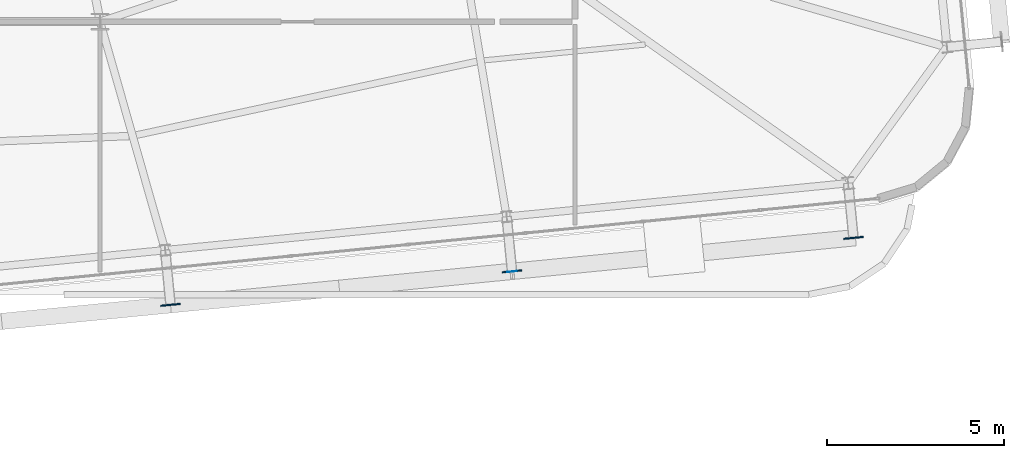
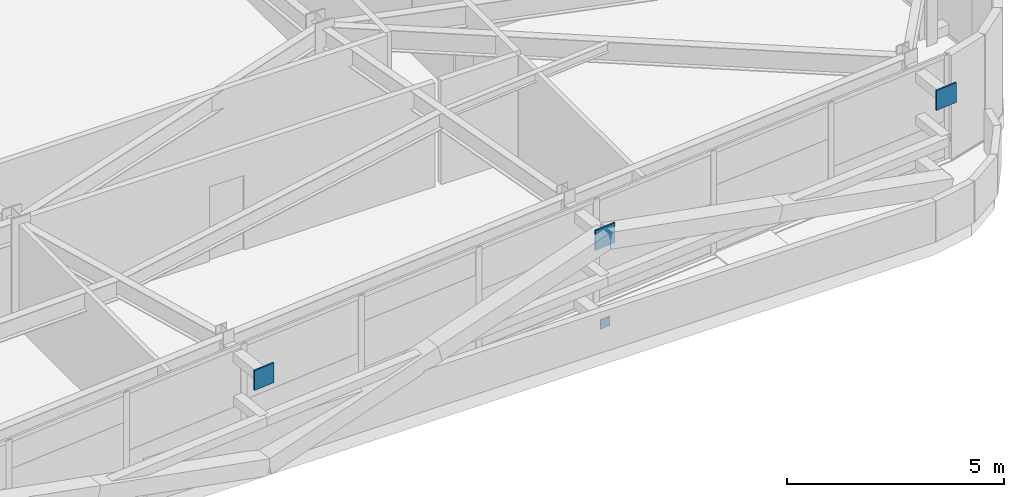
# One storey, part 39 of 51: 4 plates.
"""IFC4 building model written with IfcOpenShell, lengths in metres."""

from ifc_helpers import new_model, si_unit, direction, frame, origin, origin_2d, place, context, subcontext, project, spatial, rectangle, extrude, source, transform, mapped, material, layer, layer_set, type_object, element, save


model = new_model("IFC4")

# Units and contexts
model_context = context("Model", 3, precision=1e-05, world=origin(), true_north=direction((0.0, 1.0)))
body_context = subcontext(model_context, "Body", "Model", "MODEL_VIEW")
ifc_project = project(units=[si_unit("LENGTHUNIT", "METRE"), si_unit("AREAUNIT", "SQUARE_METRE"), si_unit("VOLUMEUNIT", "CUBIC_METRE"), si_unit("PLANEANGLEUNIT", "RADIAN"), si_unit("MASSUNIT", "GRAM", prefix="KILO")], contexts=[model_context])

# Site, building, storey
site_placement = place(None, origin())
site = spatial("IfcSite", under=ifc_project, at=site_placement, CompositionType="ELEMENT")
building_placement = place(site_placement, origin())
building = spatial("IfcBuilding", under=site, at=building_placement, Name="Taldren Reach Tower", CompositionType="ELEMENT")
storey_placement = place(building_placement, frame((0.0, 0.0, 65.10009765625)))
storey = spatial("IfcBuildingStorey", under=building, at=storey_placement, Name="L19", CompositionType="ELEMENT", Elevation=65.10009765625)

# Plates
ifc_material = material(Name="Steel Gr 450 (C450L0)", Category="steel")
ifc_layer_1 = layer(ifc_material, 0.0400390625)
ifc_layer_set_1 = layer_set([ifc_layer_1], Name="Steel Gr 450 (C450L0)")
plate_type_1 = type_object("IfcPlateType", Name="PL-GUSSET-40", PredefinedType="SHEET", material=ifc_layer_set_1)
shared_shape_1 = source(origin(), body_context, "Body", "SweptSolid", [
    extrude(rectangle(XDim=0.56005859375, YDim=0.0400390625, at=origin_2d()), origin(), (0.0, 0.0, 1.0), 0.56005859375),
])
for number, where, z_axis, x_axis, name in (
    (1, (43.98681640625, 1.21142578125, 2.369873046875), (0.0, 0.0, 1.0), (0.995227399982, 0.097582899759, 0.0), "Exoskeleton star-node gusset plate B2-S4 L19"),
    (2, (53.62060546875, 2.156005859375, 2.369873046875), (0.0, 0.0, 1.0), (0.995227399982, 0.097582899759, 0.0), "Exoskeleton star-node gusset plate B2-S5 L19"),
    (3, (63.25439453125, 3.1005859375, 2.369873046875), (0.0, 0.0, 1.0), (0.995227399982, 0.097582899759, 0.0), "Exoskeleton star-node gusset plate B2-S6 L19"),
):
    element("IfcPlate", number, at=place(storey_placement, frame(where, z_axis=z_axis, x_axis=x_axis)), inside=storey, type_object=plate_type_1, Name=name, PredefinedType="SHEET", context=body_context, shape_type="MappedRepresentation", body=[
        mapped(shared_shape_1, transform((0.0, 0.0, 0.0), scale=1.0)),
    ])
ifc_layer_2 = layer(ifc_material, 0.011962890625)
ifc_layer_set_2 = layer_set([ifc_layer_2], Name="Steel Gr 450 (C450L0)")
plate_type_2 = type_object("IfcPlateType", Name="PL-CAP-275", PredefinedType="SHEET", material=ifc_layer_set_2)
shared_shape_2 = source(origin(), body_context, "Body", "SweptSolid", [
    extrude(rectangle(XDim=0.27490234375, YDim=0.011962890625, at=origin_2d()), origin(), (0.0, 0.0, 1.0), 0.27490234375),
])
plate_placement = place(storey_placement, frame((53.62109375, 2.14990234375, 0.08251953125), z_axis=(0.0, 0.0, 1.0), x_axis=(0.995227399982, 0.097582899759, 0.0)))
element("IfcPlate", 4, at=plate_placement, inside=storey, type_object=plate_type_2, Name="Tie strut end cap plate B2-S5 L19", PredefinedType="SHEET", context=body_context, shape_type="MappedRepresentation", body=[
    mapped(shared_shape_2, transform((0.0, 0.0, 0.0), scale=1.0)),
])

save(model, "model.ifc")
